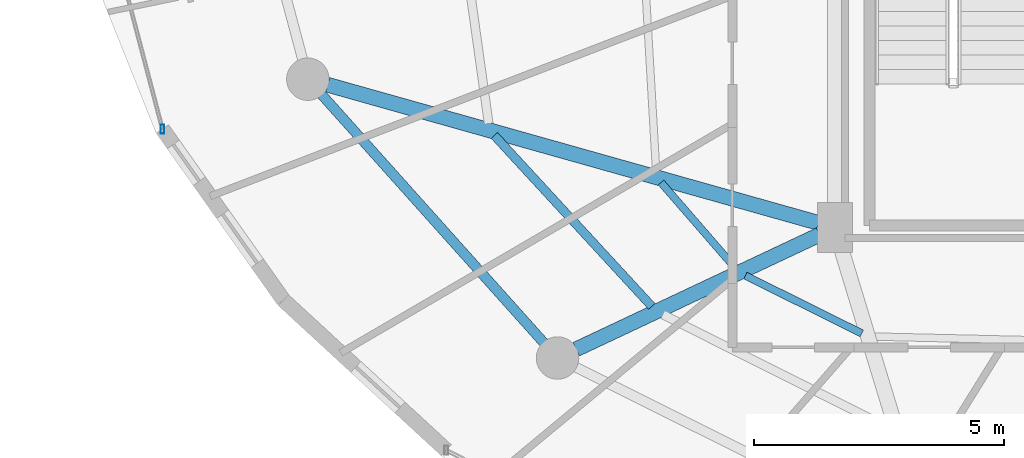
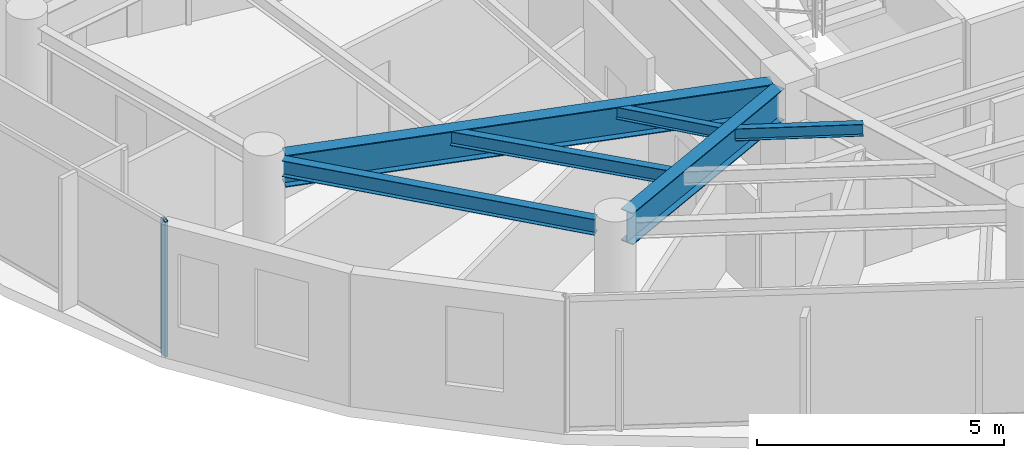
# One storey, part 3 of 30: 6 beams, 1 member, 1 element without a shape of its own.
"""IFC4 building model written with IfcOpenShell, lengths in metres."""

from ifc_helpers import new_model, si_unit, direction, frame, origin, origin_2d, place, context, subcontext, project, spatial, hollow_rectangle, i_section, extrude, material, material_profile, profile_set, type_object, element, aggregate, save


model = new_model("IFC4")

# Units and contexts
model_context = context("Model", 3, precision=1e-05, world=origin(), true_north=direction((0.0, 1.0)))
body_context = subcontext(model_context, "Body", "Model", "MODEL_VIEW")
ifc_project = project(units=[si_unit("LENGTHUNIT", "METRE"), si_unit("AREAUNIT", "SQUARE_METRE"), si_unit("VOLUMEUNIT", "CUBIC_METRE"), si_unit("PLANEANGLEUNIT", "RADIAN"), si_unit("MASSUNIT", "GRAM", prefix="KILO")], contexts=[model_context])

# Site, building, storey
site_placement = place(None, origin())
site = spatial("IfcSite", under=ifc_project, at=site_placement, CompositionType="ELEMENT")
building_placement = place(site_placement, origin())
building = spatial("IfcBuilding", under=site, at=building_placement, Name="Vorneva Point Tower", CompositionType="ELEMENT")
storey_placement = place(building_placement, frame((0.0, 0.0, 237.800048828125)))
storey = spatial("IfcBuildingStorey", under=building, at=storey_placement, Name="L64", CompositionType="ELEMENT", Elevation=237.800048828125)

# Beams
ifc_material_1 = material(Name="Steel S355", Category="steel")
ifc_material_profile_1 = material_profile(ifc_material_1, i_section(OverallWidth=0.300048828125, OverallDepth=0.7880859375, WebThickness=0.014404296875, FlangeThickness=0.02197265625, at=origin_2d()), Name="80Sh1")
ifc_profile_set_1 = profile_set([ifc_material_profile_1], Name="Steel S355")
beam_type_1 = type_object("IfcBeamType", Name="BM-GRD-80Sh1", PredefinedType="USERDEFINED", material=ifc_profile_set_1)
beam_1_placement = place(storey_placement, frame((17.102294921875, 19.305908203125, 2.89599609375), z_axis=(0.962601026021, -0.270922986664, 0.0), x_axis=(0.270922986664, 0.962601026021, 0.0)))
element("IfcBeam", 1, at=beam_1_placement, inside=storey, type_object=beam_type_1, Name="L64 Radial Primary Girder 10", ObjectType="GIRDER", PredefinedType="USERDEFINED", context=body_context, shape_type="SweptSolid", body=[
    extrude(i_section(OverallWidth=0.300048828125, OverallDepth=0.7880859375, WebThickness=0.014404296875, FlangeThickness=0.02197265625, at=origin_2d()), origin(), (0.0, 0.0, 1.0), 10.201904296875),
])
beam_2_placement = place(storey_placement, frame((22.074951171875, 14.013671875, 2.89599609375), z_axis=(0.904750812805, 0.425941271455, 0.0), x_axis=(-0.425941271455, 0.904750812805, 0.0)))
element("IfcBeam", 2, at=beam_2_placement, inside=storey, type_object=beam_type_1, Name="L64 Radial Primary Girder 11", ObjectType="GIRDER", PredefinedType="USERDEFINED", context=body_context, shape_type="SweptSolid", body=[
    extrude(i_section(OverallWidth=0.300048828125, OverallDepth=0.7880859375, WebThickness=0.014404296875, FlangeThickness=0.02197265625, at=origin_2d()), origin(), (0.0, 0.0, 1.0), 5.3798828125),
])
ifc_material_profile_2 = material_profile(ifc_material_1, i_section(OverallWidth=0.14892578125, OverallDepth=0.298095703125, WebThickness=0.005615234375, FlangeThickness=0.008056640625, at=origin_2d()), Name="30B1")
ifc_profile_set_2 = profile_set([ifc_material_profile_2], Name="Steel S355")
beam_type_2 = type_object("IfcBeamType", Name="BM-JST-30B1", PredefinedType="JOIST", material=ifc_profile_set_2)
beam_3_placement = place(storey_placement, frame((23.7724609375, 17.35009765625, 3.140869140625), z_axis=(0.655592112654, -0.755115210962, 0.0), x_axis=(0.755115210962, 0.655592112654, 0.0)))
element("IfcBeam", 3, at=beam_3_placement, inside=storey, type_object=beam_type_2, Name="L64 Secondary Floor Beam 2.10", PredefinedType="JOIST", context=body_context, shape_type="SweptSolid", body=[
    extrude(i_section(OverallWidth=0.14892578125, OverallDepth=0.298095703125, WebThickness=0.005615234375, FlangeThickness=0.008056640625, at=origin_2d()), origin(), (0.0, 0.0, 1.0), 2.2470703125),
])
beam_4_placement = place(storey_placement, frame((25.459716796875, 15.48779296875, 3.140869140625), z_axis=(0.895737278739, -0.444583768796, 0.0), x_axis=(0.444583768796, 0.895737278739, 0.0)))
element("IfcBeam", 4, at=beam_4_placement, inside=storey, type_object=beam_type_2, Name="L64 Secondary Floor Beam 2.11", PredefinedType="JOIST", context=body_context, shape_type="SweptSolid", body=[
    extrude(i_section(OverallWidth=0.14892578125, OverallDepth=0.298095703125, WebThickness=0.005615234375, FlangeThickness=0.008056640625, at=origin_2d()), origin(), (0.0, 0.0, 1.0), 2.601318359375),
])
ifc_material_profile_3 = material_profile(ifc_material_1, i_section(OverallWidth=0.174072265625, OverallDepth=0.345947265625, WebThickness=0.006103515625, FlangeThickness=0.009033203125, at=origin_2d()), Name="35B1")
ifc_profile_set_3 = profile_set([ifc_material_profile_3], Name="Steel S355")
beam_type_3 = type_object("IfcBeamType", Name="BM-SEC-35B1", PredefinedType="BEAM", material=ifc_profile_set_3)
beam_5_placement = place(storey_placement, frame((20.4365234375, 18.292236328125, 3.116943359375), z_axis=(0.677510132228, -0.735513440209, 0.0), x_axis=(0.735513440209, 0.677510132228, 0.0)))
element("IfcBeam", 5, at=beam_5_placement, inside=storey, type_object=beam_type_3, Name="L64 Secondary Floor Beam 1.10", PredefinedType="BEAM", context=body_context, shape_type="SweptSolid", body=[
    extrude(i_section(OverallWidth=0.174072265625, OverallDepth=0.345947265625, WebThickness=0.006103515625, FlangeThickness=0.009033203125, at=origin_2d()), origin(), (0.0, 0.0, 1.0), 4.651123046875),
])
ifc_material_profile_4 = material_profile(ifc_material_1, i_section(OverallWidth=0.198974609375, OverallDepth=0.39599609375, WebThickness=0.007080078125, FlangeThickness=0.010986328125, at=origin_2d()), Name="40B1")
ifc_profile_set_4 = profile_set([ifc_material_profile_4], Name="Steel S355")
beam_type_4 = type_object("IfcBeamType", Name="BM-SPN-40B1", PredefinedType="SPANDREL", material=ifc_profile_set_4)
beam_6_placement = place(storey_placement, frame((16.97802734375, 19.1123046875, 3.092041015625), z_axis=(0.667108282638, -0.744960763554, 0.0), x_axis=(0.744960763554, 0.667108282638, 0.0)))
element("IfcBeam", 6, at=beam_6_placement, inside=storey, type_object=beam_type_4, Name="L64 Perimeter Spandrel Ring Beam 10", PredefinedType="SPANDREL", context=body_context, shape_type="SweptSolid", body=[
    extrude(i_section(OverallWidth=0.198974609375, OverallDepth=0.39599609375, WebThickness=0.007080078125, FlangeThickness=0.010986328125, at=origin_2d()), origin(), (0.0, 0.0, 1.0), 6.670166015625),
])

# Curtain wall, member
ifc_material_2 = material(Name="Pale anodised aluminium", Category="aluminium")
curtain_wall_type = type_object("IfcCurtainWallType", Name="CW-RES-SYS", PredefinedType="NOTDEFINED", material=ifc_material_2)
curtain_wall_placement = place(storey_placement, origin())
curtain_wall = element("IfcCurtainWall", 7, at=curtain_wall_placement, inside=storey, type_object=curtain_wall_type, Name="L64 Unitised Curtain Wall CW-L64-R03", PredefinedType="NOTDEFINED")
ifc_material_profile_5 = material_profile(ifc_material_2, hollow_rectangle(XDim=0.074951171875, YDim=0.179931640625, WallThickness=0.00390625, at=origin_2d()), Name="AL-MUL 180x75x4")
ifc_profile_set_5 = profile_set([ifc_material_profile_5], Name="Pale anodised aluminium")
member_type = type_object("IfcMemberType", Name="CW-MUL-180", PredefinedType="MULLION", material=ifc_profile_set_5)
member_placement = place(storey_placement, frame((13.79443359375, 18.4189453125, -0.0400390625), z_axis=(0.0, 0.0, 1.0), x_axis=(1.0, 0.0, 0.0)))
member = element("IfcMember", 8, at=member_placement, type_object=member_type, Name="CW-L64-R03 Mullion 02", PredefinedType="MULLION", context=body_context, shape_type="SweptSolid", body=[
    extrude(hollow_rectangle(XDim=0.074951171875, YDim=0.179931640625, WallThickness=0.00390625, at=origin_2d()), origin(), (0.0, 0.0, 1.0), 3.360107421875),
])
aggregate(curtain_wall, [member])

save(model, "model.ifc")
